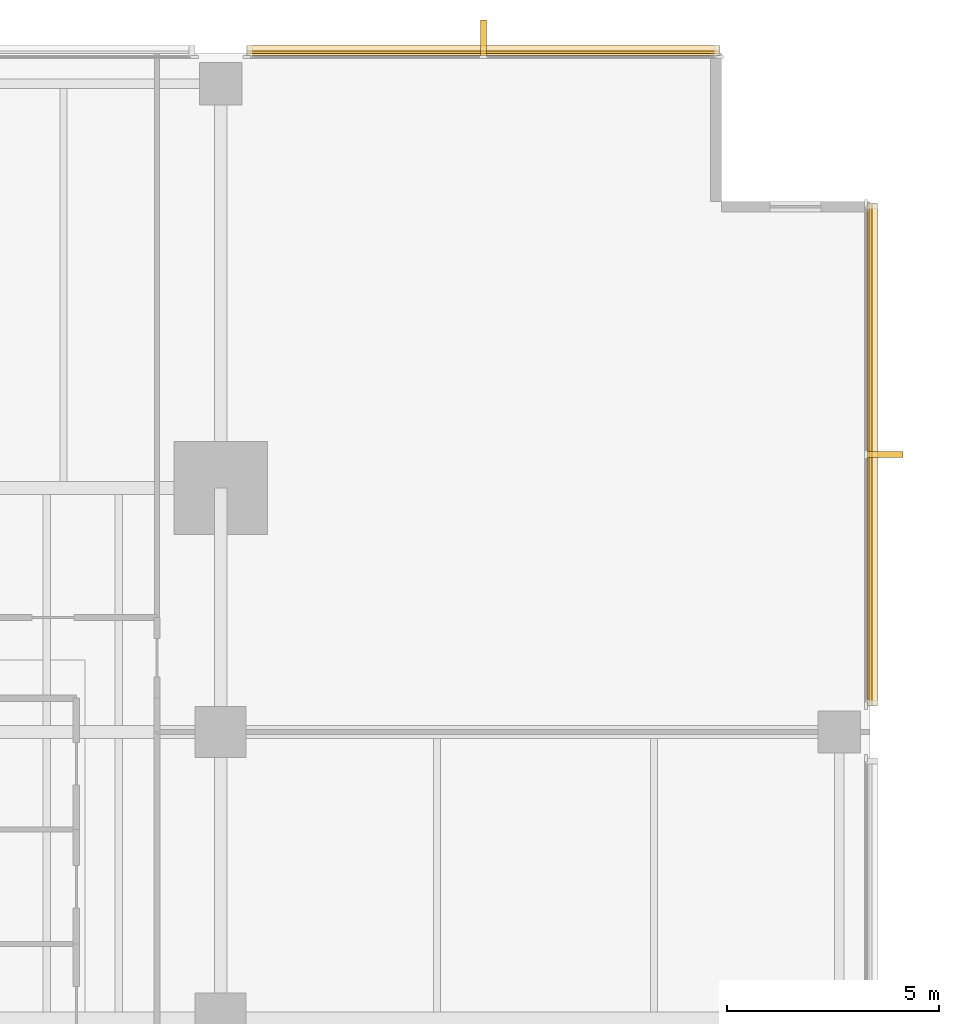
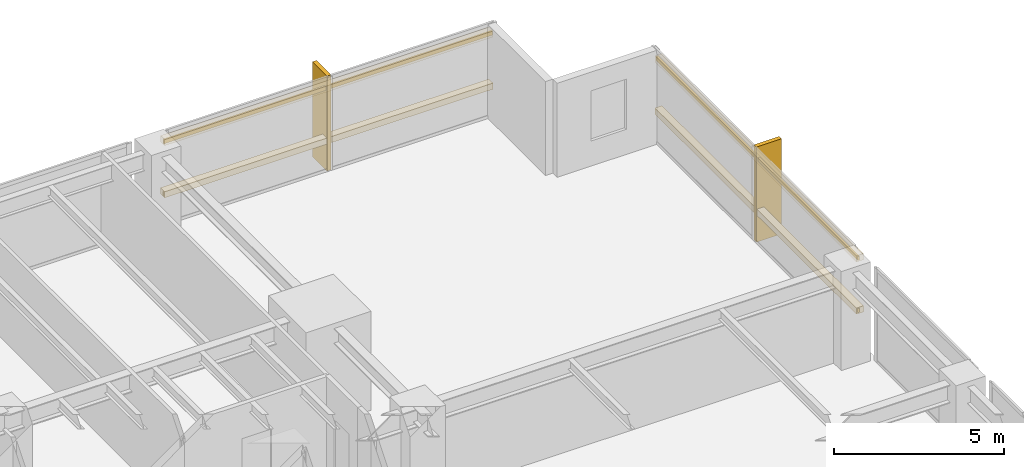
# One storey, part 15 of 15: 6 coverings, 4 shading devices.
"""IFC4 building model written with IfcOpenShell, lengths in metres."""

from ifc_helpers import new_model, si_unit, direction, frame, origin, origin_2d, place, context, subcontext, project, spatial, polyline, rectangle, outline, extrude, material, layer, layer_set, material_profile, profile_set, type_object, element, save


model = new_model("IFC4")

# Units and contexts
model_context = context("Model", 3, precision=1e-05, world=origin(), true_north=direction((0.0, 1.0)))
body_context = subcontext(model_context, "Body", "Model", "MODEL_VIEW")
ifc_project = project(units=[si_unit("LENGTHUNIT", "METRE"), si_unit("AREAUNIT", "SQUARE_METRE"), si_unit("VOLUMEUNIT", "CUBIC_METRE"), si_unit("PLANEANGLEUNIT", "RADIAN"), si_unit("MASSUNIT", "GRAM", prefix="KILO")], contexts=[model_context])

# Site, building, storey
site_placement = place(None, origin())
site = spatial("IfcSite", under=ifc_project, at=site_placement, CompositionType="ELEMENT")
building_placement = place(site_placement, origin())
building = spatial("IfcBuilding", under=site, at=building_placement, Name="Kinhvarn Gate Tower", CompositionType="ELEMENT")
storey_placement = place(building_placement, frame((0.0, 0.0, 71.75)))
storey = spatial("IfcBuildingStorey", under=building, at=storey_placement, Name="L18", CompositionType="ELEMENT", Elevation=71.75)

# Coverings
ifc_material = material(Name="Fired architectural terracotta", Category="masonry")
ifc_layer_1 = layer(ifc_material, 0.239990234375)
ifc_layer_set_1 = layer_set([ifc_layer_1], Name="Fired architectural terracotta")
covering_type_1 = type_object("IfcCoveringType", Name="COV-BAG-220", PredefinedType="CLADDING", material=ifc_layer_set_1)
for number, where, name in (
    (1, (0.0, 0.0, 0.93994140625), "Terracotta Horizontal Sunscreen Band TBG-220 (L18)"),
    (2, (0.0, 0.0, 2.81005859375), "Terracotta Horizontal Sunscreen Band TBG-220 (L18)"),
):
    element("IfcCovering", number, at=place(storey_placement, frame(where)), inside=storey, type_object=covering_type_1, Name=name, PredefinedType="CLADDING", context=body_context, shape_type="SweptSolid", body=[
        extrude(outline(polyline([(49.9599609375, 47.93994140625), (38.820068359375, 47.93994140625), (38.820068359375, 48.179931640625), (49.9599609375, 48.179931640625), (49.9599609375, 47.93994140625)])), origin(), (0.0, 0.0, 1.0), 0.219970703125),
    ])
for number, where, name in (
    (3, (0.0, 0.0, 0.93994140625), "Terracotta Horizontal Sunscreen Band TBG-220 (L18)"),
    (4, (0.0, 0.0, 2.81005859375), "Terracotta Horizontal Sunscreen Band TBG-220 (L18)"),
):
    element("IfcCovering", number, at=place(storey_placement, frame(where)), inside=storey, type_object=covering_type_1, Name=name, PredefinedType="CLADDING", context=body_context, shape_type="SweptSolid", body=[
        extrude(outline(polyline([(53.43994140625, 32.6201171875), (53.43994140625, 44.4599609375), (53.679931640625, 44.4599609375), (53.679931640625, 32.6201171875), (53.43994140625, 32.6201171875)])), origin(), (0.0, 0.0, 1.0), 0.219970703125),
    ])
ifc_layer_2 = layer(ifc_material, 0.139892578125)
ifc_layer_set_2 = layer_set([ifc_layer_2], Name="Fired architectural terracotta")
covering_type_2 = type_object("IfcCoveringType", Name="COV-FIN-850", PredefinedType="CLADDING", material=ifc_layer_set_2)
covering_1_placement = place(storey_placement, frame((0.0, 0.0, -0.02001953125)))
element("IfcCovering", 5, at=covering_1_placement, inside=storey, type_object=covering_type_2, Name="Vertical Terracotta Expressive Fin TFN-850 (L18)", PredefinedType="CLADDING", context=body_context, shape_type="SweptSolid", body=[
    extrude(outline(polyline([(44.4599609375, 47.929931640625), (44.320068359375, 47.929931640625), (44.320068359375, 48.780029296875), (44.4599609375, 48.780029296875), (44.4599609375, 47.929931640625)])), origin(), (0.0, 0.0, 1.0), 3.409912109375),
])
covering_2_placement = place(storey_placement, frame((0.0, 0.0, -0.02001953125)))
element("IfcCovering", 6, at=covering_2_placement, inside=storey, type_object=covering_type_2, Name="Vertical Terracotta Expressive Fin TFN-850 (L18)", PredefinedType="CLADDING", context=body_context, shape_type="SweptSolid", body=[
    extrude(outline(polyline([(53.429931640625, 38.469970703125), (53.429931640625, 38.610107421875), (54.280029296875, 38.610107421875), (54.280029296875, 38.469970703125), (53.429931640625, 38.469970703125)])), origin(), (0.0, 0.0, 1.0), 3.409912109375),
])

# Shading devices
ifc_material_profile = material_profile(ifc_material, rectangle(XDim=0.06005859375, YDim=0.139892578125, at=origin_2d()), Name="TC 60x140")
ifc_profile_set = profile_set([ifc_material_profile], Name="Fired architectural terracotta")
shading_device_type = type_object("IfcShadingDeviceType", Name="SHD-BAG-180", PredefinedType="USERDEFINED", material=ifc_profile_set)
for number, where, z_axis, x_axis, name in (
    (7, (49.9599609375, 48.014892578125, 1.050048828125), (-1.0, 0.0, 0.0), (0.0, -1.0, 0.0), "Fired Terracotta Baguette Screen Rod 60x140 mm (L18)"),
    (8, (49.9599609375, 48.014892578125, 2.919921875), (-1.0, 0.0, 0.0), (0.0, -1.0, 0.0), "Fired Terracotta Baguette Screen Rod 60x140 mm (L18)"),
):
    element("IfcShadingDevice", number, at=place(storey_placement, frame(where, z_axis=z_axis, x_axis=x_axis)), inside=storey, type_object=shading_device_type, Name=name, ObjectType="BAGUETTE", PredefinedType="USERDEFINED", context=body_context, shape_type="SweptSolid", body=[
        extrude(rectangle(XDim=0.06005859375, YDim=0.139892578125, at=origin_2d()), origin(), (0.0, 0.0, 1.0), 11.139892578125),
    ])
for number, where, z_axis, x_axis, name in (
    (9, (53.514892578125, 32.6201171875, 1.050048828125), (0.0, 1.0, 0.0), (-1.0, 0.0, 0.0), "Fired Terracotta Baguette Screen Rod 60x140 mm (L18)"),
    (10, (53.514892578125, 32.6201171875, 2.919921875), (0.0, 1.0, 0.0), (-1.0, 0.0, 0.0), "Fired Terracotta Baguette Screen Rod 60x140 mm (L18)"),
):
    element("IfcShadingDevice", number, at=place(storey_placement, frame(where, z_axis=z_axis, x_axis=x_axis)), inside=storey, type_object=shading_device_type, Name=name, ObjectType="BAGUETTE", PredefinedType="USERDEFINED", context=body_context, shape_type="SweptSolid", body=[
        extrude(rectangle(XDim=0.06005859375, YDim=0.139892578125, at=origin_2d()), origin(), (0.0, 0.0, 1.0), 11.83984375),
    ])

save(model, "model.ifc")
